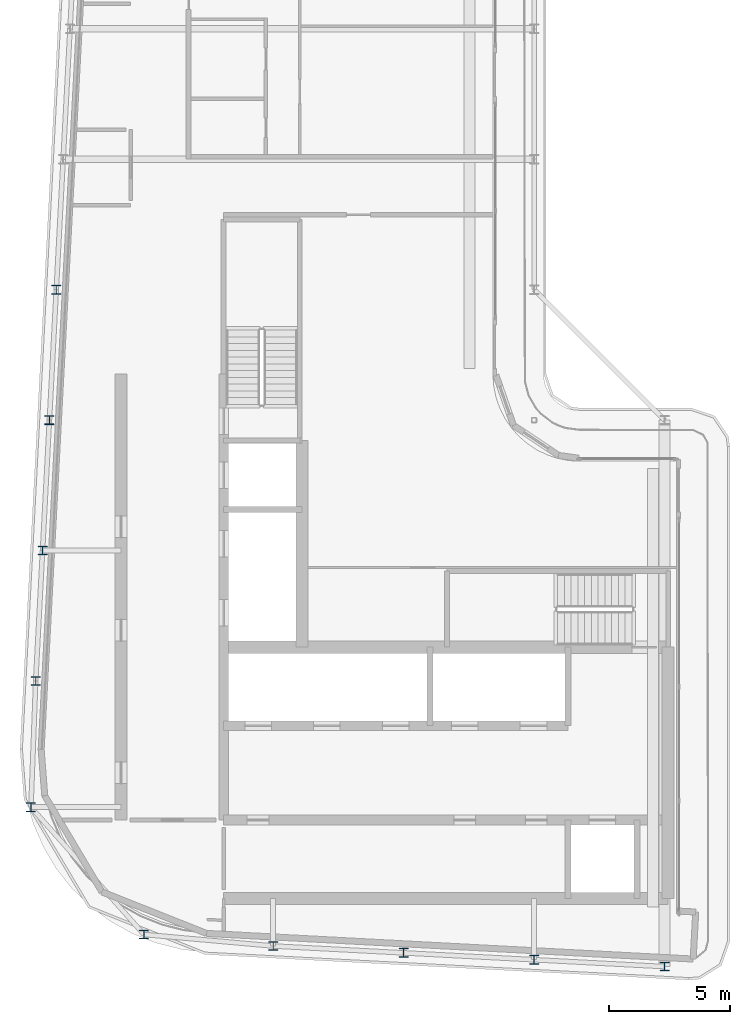
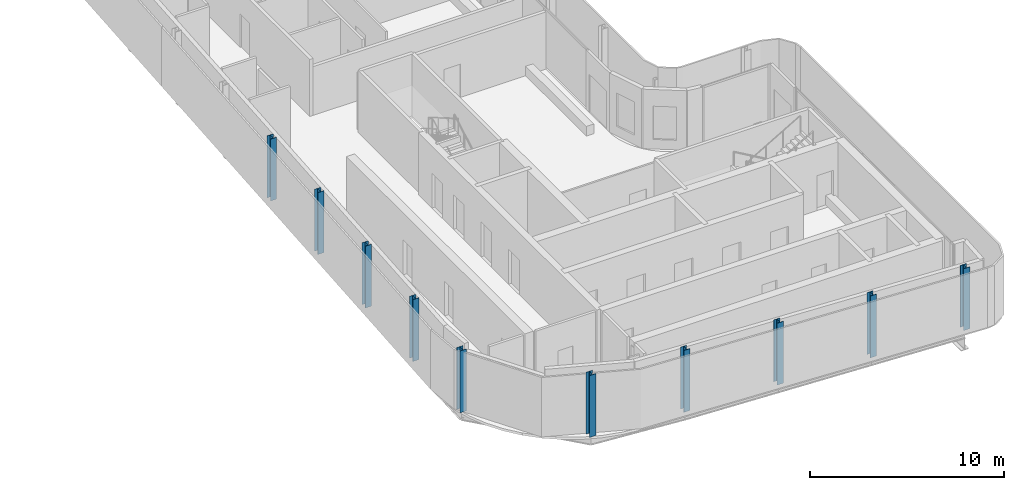
# One storey, part 1 of 19: 10 columns.
"""IFC4 building model written with IfcOpenShell, lengths in metres."""

from ifc_helpers import new_model, si_unit, direction, frame, origin, origin_2d, place, context, subcontext, project, spatial, i_section, extrude, material, material_profile, profile_set, type_object, element, save


model = new_model("IFC4")

# Units and contexts
model_context = context("Model", 3, precision=1e-05, world=origin(), true_north=direction((0.0, 1.0)))
body_context = subcontext(model_context, "Body", "Model", "MODEL_VIEW")
ifc_project = project(units=[si_unit("LENGTHUNIT", "METRE"), si_unit("AREAUNIT", "SQUARE_METRE"), si_unit("VOLUMEUNIT", "CUBIC_METRE"), si_unit("PLANEANGLEUNIT", "RADIAN"), si_unit("MASSUNIT", "GRAM", prefix="KILO")], contexts=[model_context])

# Site, building, storey
site_placement = place(None, origin())
site = spatial("IfcSite", under=ifc_project, at=site_placement, CompositionType="ELEMENT")
building_placement = place(site_placement, origin())
building = spatial("IfcBuilding", under=site, at=building_placement, Name="Kheshtan School and Residences Tower", CompositionType="ELEMENT")
storey_placement = place(building_placement, frame((0.0, 0.0, 353.89990234375)))
storey = spatial("IfcBuildingStorey", under=building, at=storey_placement, Name="L83", CompositionType="ELEMENT", Elevation=353.89990234375)

# Columns
ifc_material = material(Name="Steel ASTM A992 Grade 50", Category="steel")
ifc_material_profile = material_profile(ifc_material, i_section(OverallWidth=0.37109375, OverallDepth=0.364013671875, WebThickness=0.01318359375, FlangeThickness=0.021728515625, FilletRadius=0.010986328125, at=origin_2d()), Name="W360x162")
ifc_profile_set = profile_set([ifc_material_profile], Name="Steel ASTM A992 Grade 50")
column_type = type_object("IfcColumnType", Name="Column C6 W360x162 ASTM A992 Grade 50", PredefinedType="COLUMN", material=ifc_profile_set)
for number, where, z_axis, x_axis, name in (
    (1, (53.0, 22.97998046875, 0.0), (0.0, 0.0, 1.0), (1.0, 0.0, 0.0), "Column C019"),
    (2, (47.60009765625, 23.263916015625, 0.0), (0.0, 0.0, 1.0), (1.0, 0.0, 0.0), "Column C020"),
    (3, (42.199951171875, 23.548095703125, 0.0), (0.0, 0.0, 1.0), (1.0, 0.0, 0.0), "Column C021"),
    (4, (36.800048828125, 23.83203125, 0.0), (0.0, 0.0, 1.0), (1.0, 0.0, 0.0), "Column C022"),
    (5, (31.449951171875, 24.31005859375, 0.0), (0.0, 0.0, 1.0), (1.0, 0.0, 0.0), "Column C035"),
    (6, (26.77294921875, 29.5791015625, 0.0), (0.0, 0.0, 1.0), (1.0, 0.0, 0.0), "Column C047"),
    (7, (26.968994140625, 34.800048828125, 0.0), (0.0, 0.0, 1.0), (1.0, 0.0, 0.0), "Column C052"),
    (8, (27.2529296875, 40.199951171875, 0.0), (0.0, 0.0, 1.0), (1.0, 0.0, 0.0), "Column C056"),
    (9, (27.537109375, 45.60009765625, 0.0), (0.0, 0.0, 1.0), (1.0, 0.0, 0.0), "Column C059"),
    (10, (27.822021484375, 51.0, 0.0), (0.0, 0.0, 1.0), (1.0, 0.0, 0.0), "Column C078"),
):
    element("IfcColumn", number, at=place(storey_placement, frame(where, z_axis=z_axis, x_axis=x_axis)), inside=storey, type_object=column_type, Name=name, PredefinedType="COLUMN", context=body_context, shape_type="SweptSolid", body=[
        extrude(i_section(OverallWidth=0.37109375, OverallDepth=0.364013671875, WebThickness=0.01318359375, FlangeThickness=0.021728515625, FilletRadius=0.010986328125, at=origin_2d()), origin(), (0.0, 0.0, 1.0), 3.900146484375),
    ])

save(model, "model.ifc")
